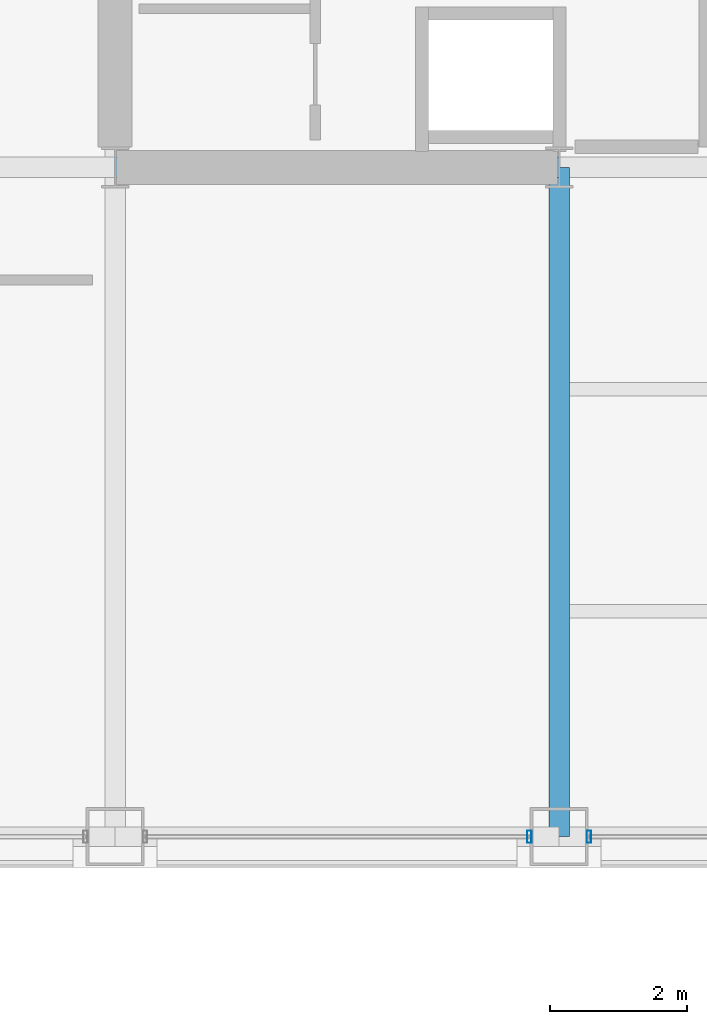
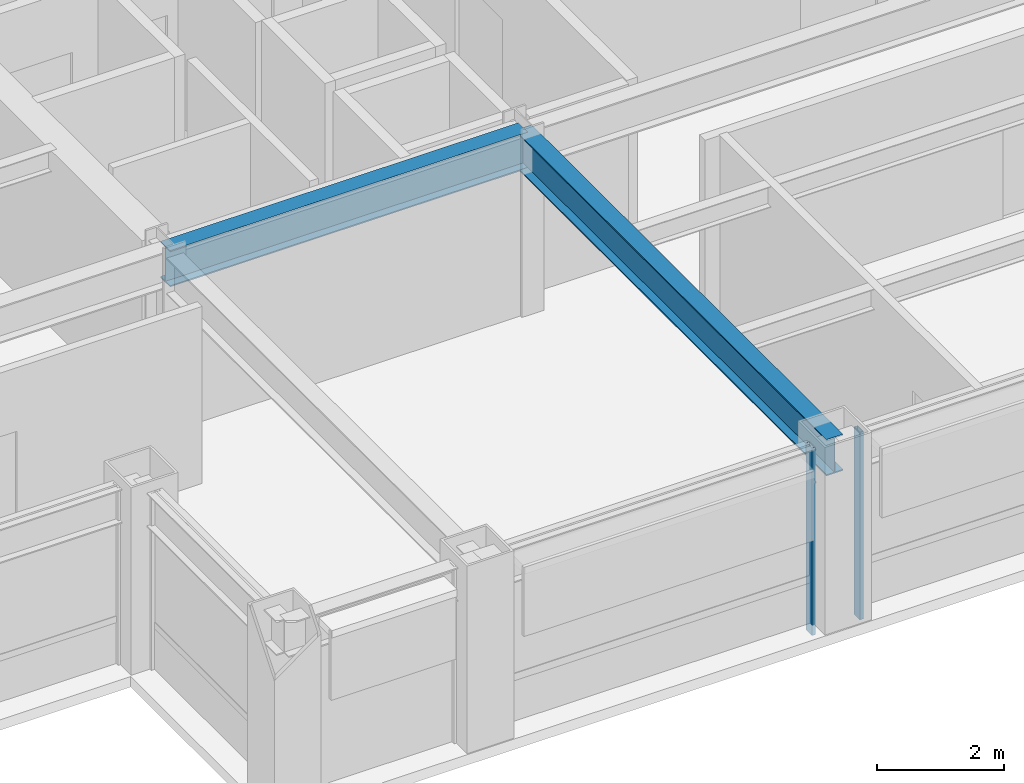
# One storey, part 5 of 30: 2 beams, 2 members, 2 elements without a shape of their own.
"""IFC4 building model written with IfcOpenShell, lengths in metres."""

from ifc_helpers import new_model, si_unit, direction, frame, origin, origin_2d, place, context, subcontext, project, spatial, hollow_rectangle, i_section, extrude, material, layer, layer_set, material_profile, profile_set, type_object, element, aggregate, save


model = new_model("IFC4")

# Units and contexts
model_context = context("Model", 3, precision=1e-05, world=origin(), true_north=direction((0.0, 1.0)))
body_context = subcontext(model_context, "Body", "Model", "MODEL_VIEW")
ifc_project = project(units=[si_unit("LENGTHUNIT", "METRE"), si_unit("AREAUNIT", "SQUARE_METRE"), si_unit("VOLUMEUNIT", "CUBIC_METRE"), si_unit("PLANEANGLEUNIT", "RADIAN"), si_unit("MASSUNIT", "GRAM", prefix="KILO")], contexts=[model_context])

# Site, building, storey
site_placement = place(None, origin())
site = spatial("IfcSite", under=ifc_project, at=site_placement, CompositionType="ELEMENT")
building_placement = place(site_placement, origin())
building = spatial("IfcBuilding", under=site, at=building_placement, Name="Brelmoor Portico Tower", CompositionType="ELEMENT")
storey_placement = place(building_placement, frame((0.0, 0.0, 102.60009765625)))
storey = spatial("IfcBuildingStorey", under=building, at=storey_placement, Name="L26", CompositionType="ELEMENT", Elevation=102.60009765625)

# Beams
ifc_material_1 = material(Name="Steel Q355B", Category="steel")
ifc_material_profile_1 = material_profile(ifc_material_1, i_section(OverallWidth=0.300048828125, OverallDepth=0.699951171875, WebThickness=0.012939453125, FlangeThickness=0.02392578125, at=origin_2d()), Name="HN 700x300x13x24")
ifc_profile_set_1 = profile_set([ifc_material_profile_1], Name="Steel Q355B")
beam_type = type_object("IfcBeamType", Name="BM-PG-700", PredefinedType="BEAM", material=ifc_profile_set_1)
beam_1_placement = place(storey_placement, frame((-8.050048828125, -19.550048828125, 3.0498046875), z_axis=(0.0, 1.0, 0.0), x_axis=(-1.0, 0.0, 0.0)))
element("IfcBeam", 1, at=beam_1_placement, inside=storey, type_object=beam_type, Name="L26 Primary Floor Girder PG-05", PredefinedType="BEAM", context=body_context, shape_type="SweptSolid", body=[
    extrude(i_section(OverallWidth=0.300048828125, OverallDepth=0.699951171875, WebThickness=0.012939453125, FlangeThickness=0.02392578125, at=origin_2d()), origin(), (0.0, 0.0, 1.0), 9.800048828125),
])
beam_2_placement = place(storey_placement, frame((-14.550048828125, -9.75, 3.0498046875), z_axis=(1.0, 0.0, 0.0), x_axis=(0.0, 1.0, 0.0)))
element("IfcBeam", 2, at=beam_2_placement, inside=storey, type_object=beam_type, Name="L26 Primary Floor Girder PG-15", PredefinedType="BEAM", context=body_context, shape_type="SweptSolid", body=[
    extrude(i_section(OverallWidth=0.300048828125, OverallDepth=0.699951171875, WebThickness=0.012939453125, FlangeThickness=0.02392578125, at=origin_2d()), origin(), (0.0, 0.0, 1.0), 6.5),
])

# Curtain wall, member
ifc_material_2 = material(Name="Anodised Aluminium Alloy 6063-T6", Category="aluminium")
ifc_layer = layer(ifc_material_2, 0.179931640625)
ifc_layer_set = layer_set([ifc_layer], Name="Anodised Aluminium Alloy 6063-T6")
curtain_wall_type = type_object("IfcCurtainWallType", Name="CW-TOWER-Z2", PredefinedType="NOTDEFINED", material=ifc_layer_set)
curtain_wall_1_placement = place(storey_placement, origin())
curtain_wall_1 = element("IfcCurtainWall", 3, at=curtain_wall_1_placement, inside=storey, type_object=curtain_wall_type, Name="L26 Curtain Wall CW-L26-1L-2", PredefinedType="NOTDEFINED")
ifc_material_profile_2 = material_profile(ifc_material_2, hollow_rectangle(XDim=0.06494140625, YDim=0.179931640625, WallThickness=0.00390625, at=origin_2d()), Name="ALU MULLION 65x180")
ifc_profile_set_2 = profile_set([ifc_material_profile_2], Name="Anodised Aluminium Alloy 6063-T6")
member_type = type_object("IfcMemberType", Name="MB-CW-MULL-180", PredefinedType="MULLION", material=ifc_profile_set_2)
member_1_placement = place(storey_placement, frame((-8.485107421875, -19.550048828125, -0.2001953125), z_axis=(0.0, 0.0, 1.0), x_axis=(1.0, 0.0, 0.0)))
member_1 = element("IfcMember", 4, at=member_1_placement, type_object=member_type, Name="CW-L26-1L-2 Mullion 01", PredefinedType="MULLION", context=body_context, shape_type="SweptSolid", body=[
    extrude(hollow_rectangle(XDim=0.06494140625, YDim=0.179931640625, WallThickness=0.00390625, at=origin_2d()), origin(), (0.0, 0.0, 1.0), 3.60009765625),
])
aggregate(curtain_wall_1, [member_1])

curtain_wall_2_placement = place(storey_placement, origin())
curtain_wall_2 = element("IfcCurtainWall", 5, at=curtain_wall_2_placement, inside=storey, type_object=curtain_wall_type, Name="L26 Curtain Wall CW-L26-1L-3", PredefinedType="NOTDEFINED")
member_2_placement = place(storey_placement, frame((-7.614990234375, -19.550048828125, -0.2001953125), z_axis=(0.0, 0.0, 1.0), x_axis=(1.0, 0.0, 0.0)))
member_2 = element("IfcMember", 6, at=member_2_placement, type_object=member_type, Name="CW-L26-1L-3 Mullion 00", PredefinedType="MULLION", context=body_context, shape_type="SweptSolid", body=[
    extrude(hollow_rectangle(XDim=0.06494140625, YDim=0.179931640625, WallThickness=0.00390625, at=origin_2d()), origin(), (0.0, 0.0, 1.0), 3.60009765625),
])
aggregate(curtain_wall_2, [member_2])

save(model, "model.ifc")
